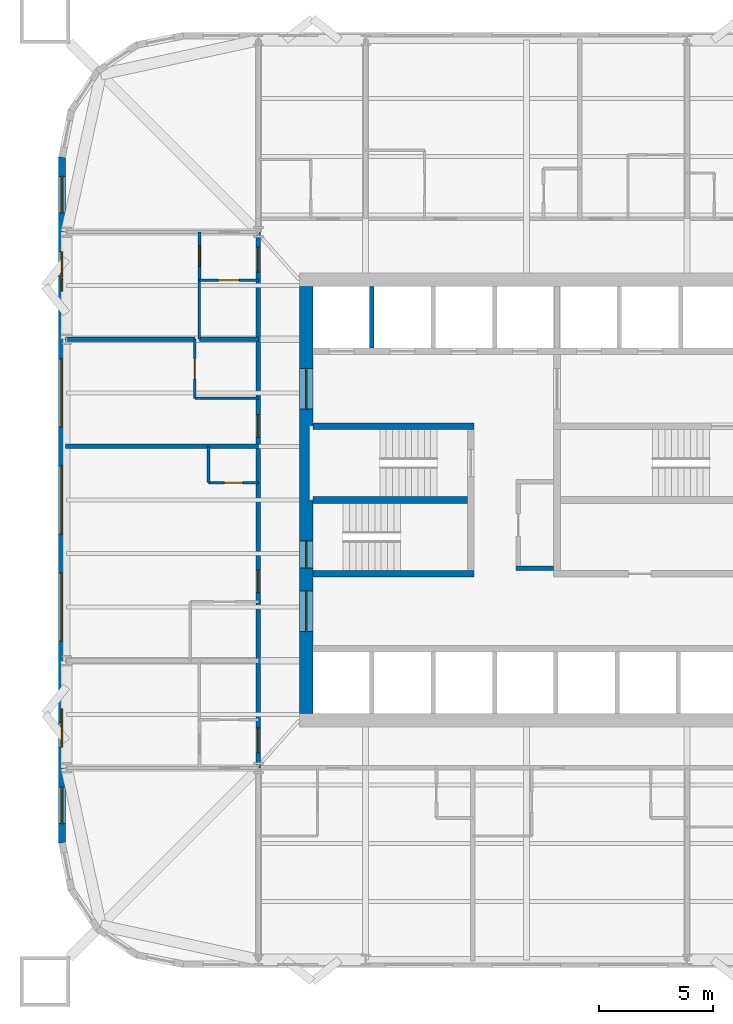
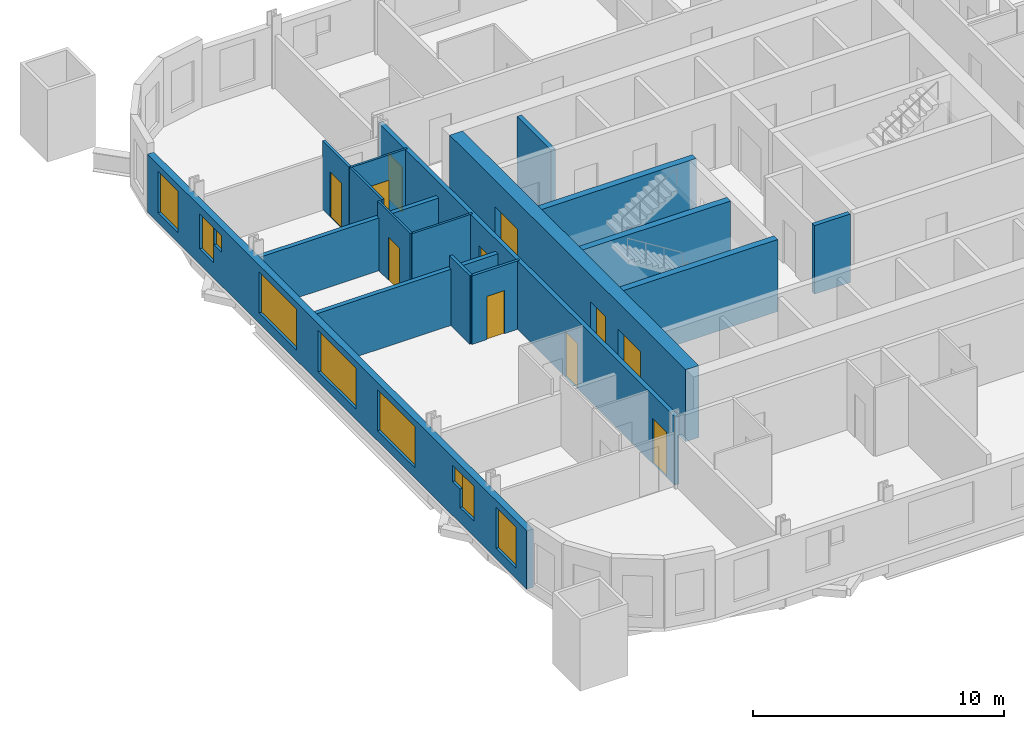
# One storey, part 4 of 9: 18 walls, 11 doors, 9 windows, 20 openings.
"""IFC4 building model written with IfcOpenShell, lengths in metres."""

import ifcopenshell
import ifcopenshell.guid

model = None  # the IFC model being written
_history = None  # IfcOwnerHistory: only IFC2X3 demands one
_inside = {}  # id of a spatial element -> (the spatial element, [elements in it])
_under = {}  # id of a project, library or spatial element -> (it, [spatial elements below it])
_declared = {}  # id of a project -> (the project, [libraries it declares])
_typed = {}  # id of a type object -> (the type object, [elements of that type])
_made_of = {}  # id of a material, layer set ... -> (it, [elements and type objects made of it])


def new_model(schema):
    """Start an empty IFC model of exactly this schema.

    Asked for "IFC4X3", IfcOpenShell would pick the latest addendum, in which some entities
    have other attributes; the version numbers below select the first issue.
    IFC2X3 requires an IfcOwnerHistory on every rooted entity: one is made here for all.
    """
    global model, _history
    if schema == "IFC4X3":
        model = ifcopenshell.file(schema_version=(4, 3, 0, 0))
    else:
        model = ifcopenshell.file(schema=schema)
    _inside.clear()
    _under.clear()
    _declared.clear()
    _typed.clear()
    _made_of.clear()
    _history = None
    if model.schema == "IFC2X3":
        org = make("IfcOrganization", Name="unknown")
        user = make(
            "IfcPersonAndOrganization",
            ThePerson=make("IfcPerson", FamilyName="unknown"),
            TheOrganization=org,
        )
        app = make(
            "IfcApplication",
            ApplicationDeveloper=org,
            Version="unknown",
            ApplicationFullName="unknown",
            ApplicationIdentifier="unknown",
        )
        _history = make(
            "IfcOwnerHistory",
            OwningUser=user,
            OwningApplication=app,
            ChangeAction="ADDED",
            CreationDate=0,
        )
    return model


def make(cls, **values):
    """One entity of the class cls with the attributes given. An attribute that is None is left unset."""
    return model.create_entity(
        cls, **{name: value for name, value in values.items() if value is not None}
    )


def rooted(cls, **values):
    """An entity with a GlobalId (a new one), such as an element, a storey or a relation."""
    return make(cls, GlobalId=ifcopenshell.guid.new(), OwnerHistory=_history, **values)


def si_unit(unit_type, name, prefix=None):
    """IfcSIUnit, for example si_unit("LENGTHUNIT", "METRE", prefix="MILLI")."""
    return make("IfcSIUnit", UnitType=unit_type, Prefix=prefix, Name=name)


def assignment(units):
    """IfcUnitAssignment: the units of a project."""
    return None if units is None else make("IfcUnitAssignment", Units=units)


def point(xyz):
    """IfcCartesianPoint."""
    return None if xyz is None else make("IfcCartesianPoint", Coordinates=xyz)


def direction(xyz):
    """IfcDirection."""
    return None if xyz is None else make("IfcDirection", DirectionRatios=xyz)


def frame(location, z_axis=None, x_axis=None):
    """IfcAxis2Placement3D, a coordinate frame: its origin and axes. An axis left out is left unset."""
    return make(
        "IfcAxis2Placement3D",
        Location=point(location),
        Axis=direction(z_axis),
        RefDirection=direction(x_axis),
    )


def frame_2d(location, x_axis=None):
    """IfcAxis2Placement2D, a coordinate frame in the plane: its origin and x axis."""
    return make(
        "IfcAxis2Placement2D", Location=point(location), RefDirection=direction(x_axis)
    )


def origin():
    """The frame at (0, 0, 0) with its axes left unset."""
    return frame((0.0, 0.0, 0.0))


def place(relative_to, where):
    """IfcLocalPlacement: puts the frame where relative to a parent placement (None: the world)."""
    return make(
        "IfcLocalPlacement", PlacementRelTo=relative_to, RelativePlacement=where
    )


def context(
    kind, dimensions, precision=None, world=None, true_north=None, identifier=None
):
    """IfcGeometricRepresentationContext, for example the 3D "Model" context."""
    return make(
        "IfcGeometricRepresentationContext",
        ContextIdentifier=identifier,
        ContextType=kind,
        CoordinateSpaceDimension=dimensions,
        Precision=precision,
        WorldCoordinateSystem=world,
        TrueNorth=true_north,
    )


def subcontext(parent, identifier, kind, view, scale=None):
    """IfcGeometricRepresentationSubContext, for example "Body" below "Model"."""
    return make(
        "IfcGeometricRepresentationSubContext",
        ContextIdentifier=identifier,
        ContextType=kind,
        ParentContext=parent,
        TargetScale=scale,
        TargetView=view,
    )


def project(units=None, contexts=None):
    """IfcProject with its units and contexts."""
    return rooted(
        "IfcProject",
        Name="project",
        RepresentationContexts=contexts,
        UnitsInContext=assignment(units),
    )


def spatial(cls, under=None, at=None, **own):
    """A site, building, storey or space (cls), placed at a placement, below another one or the project."""
    s = rooted(cls, ObjectPlacement=at, **own)
    if under is not None:
        _under.setdefault(under.id(), (under, []))[1].append(s)
    return s


def profile(cls, at=None, kind="AREA", **sizes):
    """A parametric profile (cls). Its sizes go by their IFC names, for example OverallWidth=200.0."""
    return make(cls, ProfileType=kind, Position=at, **sizes)


def rectangle(**sizes):
    """IfcRectangleProfileDef."""
    return profile("IfcRectangleProfileDef", **sizes)


def extrude(swept, where, along, depth):
    """IfcExtrudedAreaSolid: the profile swept, set in the frame where, extruded along a direction by depth."""
    return make(
        "IfcExtrudedAreaSolid",
        SweptArea=swept,
        Position=where,
        ExtrudedDirection=direction(along),
        Depth=depth,
    )


def shape(context_of_items, identifier, shape_type, items):
    """IfcShapeRepresentation: the items that make up one representation, for example the "Body"."""
    return make(
        "IfcShapeRepresentation",
        ContextOfItems=context_of_items,
        RepresentationIdentifier=identifier,
        RepresentationType=shape_type,
        Items=items,
    )


def material(Name=None, Category=None):
    """IfcMaterial."""
    return make("IfcMaterial", Name=Name, Category=Category)


def layer(
    of_material, thickness, ventilated=None, Name=None, Category=None, Priority=None
):
    """IfcMaterialLayer: one layer of a wall or slab, of a material (None: an air gap)."""
    return make(
        "IfcMaterialLayer",
        Material=of_material,
        LayerThickness=thickness,
        IsVentilated=ventilated,
        Name=Name,
        Category=Category,
        Priority=Priority,
    )


def layer_set(layers, Name=None):
    """IfcMaterialLayerSet."""
    return make("IfcMaterialLayerSet", MaterialLayers=layers, LayerSetName=Name)


def made_of(thing, what):
    """Note that an element or type object is made of a material, layer set ...; save() writes the relation."""
    if what is not None:
        _made_of.setdefault(what.id(), (what, []))[1].append(thing)
    return thing


def type_object(cls, material=None, **own):
    """A type object (cls), such as IfcWallType, which elements share."""
    return made_of(rooted(cls, **own), material)


def element(
    cls,
    number,
    at=None,
    inside=None,
    cuts=None,
    type_object=None,
    material=None,
    context=None,
    identifier="Body",
    shape_type=None,
    held_by="IfcProductDefinitionShape",
    body=None,
    shapes=None,
    **own,
):
    """One element of the class cls, such as IfcWall. Its Tag is "e" and its number.

    at: its placement. inside: the storey or other place that contains it. cuts: it is an
    opening in that element (IfcRelVoidsElement). A single representation is given by context,
    identifier, shape_type and body (its items); several are given by shapes. held_by: the class
    of the entity that holds the representations. save() writes the other relations.
    """
    e = rooted(cls, Tag="e%d" % number, ObjectPlacement=at, **own)
    if body is not None:
        shapes = [shape(context, identifier, shape_type, body)]
    if shapes is not None:
        e.Representation = make(held_by, Representations=shapes)
    if inside is not None:
        _inside.setdefault(inside.id(), (inside, []))[1].append(e)
    if cuts is not None:
        rooted(
            "IfcRelVoidsElement", RelatingBuildingElement=cuts, RelatedOpeningElement=e
        )
    if type_object is not None:
        _typed.setdefault(type_object.id(), (type_object, []))[1].append(e)
    return made_of(e, material)


def fill(opening, filler):
    """IfcRelFillsElement: the door or window that sits in an opening."""
    return rooted(
        "IfcRelFillsElement",
        RelatingOpeningElement=opening,
        RelatedBuildingElement=filler,
    )


def aggregate(whole, parts):
    """IfcRelAggregates: a whole, such as a stair, and the parts it consists of."""
    return rooted("IfcRelAggregates", RelatingObject=whole, RelatedObjects=parts)


def save(model, path):
    """Write the relations noted so far, then the file.

    IfcRelAggregates (storeys below a building ...), IfcRelContainedInSpatialStructure (elements
    in a storey), IfcRelDefinesByType, IfcRelAssociatesMaterial and IfcRelDeclares: one each for
    every whole, place, type object, material and project.
    """
    for whole, parts in _under.values():
        aggregate(whole, parts)
    for where, things in _inside.values():
        rooted(
            "IfcRelContainedInSpatialStructure",
            RelatedElements=things,
            RelatingStructure=where,
        )
    for kind, things in _typed.values():
        rooted("IfcRelDefinesByType", RelatedObjects=things, RelatingType=kind)
    for what, things in _made_of.values():
        rooted("IfcRelAssociatesMaterial", RelatedObjects=things, RelatingMaterial=what)
    for by, libraries in _declared.values():
        rooted("IfcRelDeclares", RelatingContext=by, RelatedDefinitions=libraries)
    model.write(path)


model = new_model("IFC4")

# Units and contexts
model_context = context("Model", 3, precision=1e-05, world=origin(), true_north=direction((0.0, 1.0)))
body_context = subcontext(model_context, "Body", "Model", "MODEL_VIEW")
ifc_project = project(units=[si_unit("LENGTHUNIT", "METRE"), si_unit("AREAUNIT", "SQUARE_METRE"), si_unit("VOLUMEUNIT", "CUBIC_METRE"), si_unit("PLANEANGLEUNIT", "RADIAN"), si_unit("MASSUNIT", "GRAM", prefix="KILO")], contexts=[model_context])

# Site, building, storey
site_placement = place(None, origin())
site = spatial("IfcSite", under=ifc_project, at=site_placement, CompositionType="ELEMENT")
building_placement = place(site_placement, origin())
building = spatial("IfcBuilding", under=site, at=building_placement, Name="Turquesa Mirador Hotel Tower", CompositionType="ELEMENT")
storey_placement = place(building_placement, frame((0.0, 0.0, 110.89990234375)))
storey = spatial("IfcBuildingStorey", under=building, at=storey_placement, Name="L29", CompositionType="ELEMENT", Elevation=110.89990234375)

# Wall
ifc_material_1 = material(Name="Gypsum board on steel studs", Category="steel")
ifc_layer_1 = layer(ifc_material_1, 0.10009765625)
ifc_layer_set_1 = layer_set([ifc_layer_1], Name="BATHROOM WALL 100")
wall_type_1 = type_object("IfcWallType", Name="BATHROOM WALL 100", PredefinedType="PARTITIONING", material=ifc_layer_set_1)
wall_1_placement = place(storey_placement, frame((40.39990234375, 49.47998046875, 0.0), z_axis=(0.0, 0.0, 1.0), x_axis=(1.0, 0.0, 0.0)))
element("IfcWall", 1, at=wall_1_placement, inside=storey, type_object=wall_type_1, Name="Partition L29 035", PredefinedType="PARTITIONING", context=body_context, shape_type="SweptSolid", body=[
    extrude(rectangle(XDim=2.800048828125, YDim=0.10009765625, at=frame_2d((1.39990234375, 0.0))), origin(), (0.0, 0.0, 1.0), 3.330078125),
])

# Wall, opening, door
wall_2_placement = place(storey_placement, frame((40.60009765625, 54.679931640625, 0.0), z_axis=(0.0, 0.0, 1.0), x_axis=(1.0, 0.0, 0.0)))
wall_2 = element("IfcWall", 2, at=wall_2_placement, inside=storey, type_object=wall_type_1, Name="Partition L29 041", PredefinedType="PARTITIONING", context=body_context, shape_type="SweptSolid", body=[
    extrude(rectangle(XDim=2.599853515625, YDim=0.10009765625, at=frame_2d((1.2998046875, 0.0))), origin(), (0.0, 0.0, 1.0), 3.330078125),
])
opening_1_placement = place(wall_2_placement, frame((0.85009765625, 0.0, 0.0)))
opening_1 = element("IfcOpeningElement", 3, at=opening_1_placement, cuts=wall_2, Name="Opening D02", PredefinedType="OPENING", context=body_context, shape_type="SweptSolid", body=[
    extrude(rectangle(XDim=0.89990234375, YDim=2.10009765625, at=frame_2d((0.449951171875, 1.050048828125))), frame((0.0, 0.06005859375, 0.0), z_axis=(0.0, -1.0, 0.0), x_axis=(1.0, 0.0, 0.0)), (0.0, 0.0, 1.0), 0.1201171875),
])
ifc_material_2 = material(Name="Timber veneered door", Category="wood")
door_type_1 = type_object("IfcDoorType", Name="DOOR 900X2100 EN-SUITE", OperationType="SINGLE_SWING_RIGHT", PredefinedType="DOOR", material=ifc_material_2)
door_1_placement = place(opening_1_placement, origin())
door_1 = element("IfcDoor", 4, at=door_1_placement, inside=storey, type_object=door_type_1, Name="Door 2914B", OperationType="SINGLE_SWING_RIGHT", OverallHeight=2.10009765625, OverallWidth=0.89990234375, PredefinedType="DOOR", context=body_context, shape_type="SweptSolid", body=[
    extrude(rectangle(XDim=0.89990234375, YDim=2.10009765625, at=frame_2d((0.449951171875, 1.050048828125))), frame((0.0, 0.02490234375, 0.0), z_axis=(0.0, -1.0, 0.0), x_axis=(1.0, 0.0, 0.0)), (0.0, 0.0, 1.0), 0.050048828125),
])
fill(opening_1, door_1)

# Wall
wall_3_placement = place(storey_placement, frame((40.60009765625, 52.080078125, 0.0), z_axis=(0.0, 0.0, 1.0), x_axis=(0.0, 1.0, 0.0)))
element("IfcWall", 5, at=wall_3_placement, inside=storey, type_object=wall_type_1, Name="Partition L29 047", PredefinedType="PARTITIONING", context=body_context, shape_type="SweptSolid", body=[
    extrude(rectangle(XDim=2.599853515625, YDim=0.10009765625, at=frame_2d((1.2998046875, 0.0))), origin(), (0.0, 0.0, 1.0), 3.330078125),
])

# Wall, opening, door
wall_4_placement = place(storey_placement, frame((40.39990234375, 49.47998046875, 0.0), z_axis=(0.0, 0.0, 1.0), x_axis=(0.0, 1.0, 0.0)))
wall_4 = element("IfcWall", 6, at=wall_4_placement, inside=storey, type_object=wall_type_1, Name="Partition L29 050", PredefinedType="PARTITIONING", context=body_context, shape_type="SweptSolid", body=[
    extrude(rectangle(XDim=2.60009765625, YDim=0.10009765625, at=frame_2d((1.300048828125, 0.0))), origin(), (0.0, 0.0, 1.0), 3.330078125),
])
opening_2_placement = place(wall_4_placement, frame((0.85009765625, 0.0, 0.0)))
opening_2 = element("IfcOpeningElement", 7, at=opening_2_placement, cuts=wall_4, Name="Opening D02", PredefinedType="OPENING", context=body_context, shape_type="SweptSolid", body=[
    extrude(rectangle(XDim=0.89990234375, YDim=2.10009765625, at=frame_2d((0.449951171875, 1.050048828125))), frame((0.0, 0.06005859375, 0.0), z_axis=(0.0, -1.0, 0.0), x_axis=(1.0, 0.0, 0.0)), (0.0, 0.0, 1.0), 0.1201171875),
])
door_2_placement = place(opening_2_placement, origin())
door_2 = element("IfcDoor", 8, at=door_2_placement, inside=storey, type_object=door_type_1, Name="Door 2912B", OperationType="SINGLE_SWING_RIGHT", OverallHeight=2.10009765625, OverallWidth=0.89990234375, PredefinedType="DOOR", context=body_context, shape_type="SweptSolid", body=[
    extrude(rectangle(XDim=0.89990234375, YDim=2.10009765625, at=frame_2d((0.449951171875, 1.050048828125))), frame((0.0, 0.02490234375, 0.0), z_axis=(0.0, -1.0, 0.0), x_axis=(1.0, 0.0, 0.0)), (0.0, 0.0, 1.0), 0.050048828125),
])
fill(opening_2, door_2)

# Walls
ifc_material_3 = material(Name="Concrete C50/60", Category="concrete")
ifc_layer_2 = layer(ifc_material_3, 0.300048828125)
ifc_layer_set_2 = layer_set([ifc_layer_2], Name="CORE INNER WALL 300")
wall_type_2 = type_object("IfcWallType", Name="CORE INNER WALL 300", PredefinedType="SHEAR", material=ifc_layer_set_2)
for number, where, z_axis, x_axis, name in (
    (9, (45.60009765625, 48.25, 0.0), (0.0, 0.0, 1.0), (1.0, 0.0, 0.0), "Core wall MN-W"),
    (10, (45.60009765625, 41.75, 0.0), (0.0, 0.0, 1.0), (1.0, 0.0, 0.0), "Core wall MS-W"),
):
    element("IfcWall", number, at=place(storey_placement, frame(where, z_axis=z_axis, x_axis=x_axis)), inside=storey, type_object=wall_type_2, Name=name, PredefinedType="SHEAR", context=body_context, shape_type="SweptSolid", body=[
        extrude(rectangle(XDim=7.099853515625, YDim=0.300048828125, at=frame_2d((3.5498046875, 0.0))), origin(), (0.0, 0.0, 1.0), 3.5),
    ])
wall_5_placement = place(storey_placement, frame((45.60009765625, 45.0, 0.0), z_axis=(0.0, 0.0, 1.0), x_axis=(1.0, 0.0, 0.0)))
element("IfcWall", 11, at=wall_5_placement, inside=storey, type_object=wall_type_2, Name="Core wall M0-W", PredefinedType="SHEAR", context=body_context, shape_type="SweptSolid", body=[
    extrude(rectangle(XDim=6.7998046875, YDim=0.300048828125, at=frame_2d((3.39990234375, 0.0))), origin(), (0.0, 0.0, 1.0), 3.5),
])

# Wall, openings, doors
ifc_material_4 = material(Name="Concrete C50/60", Category="concrete")
ifc_layer_3 = layer(ifc_material_4, 0.60009765625)
ifc_layer_set_3 = layer_set([ifc_layer_3], Name="CORE WALL 600")
wall_type_3 = type_object("IfcWallType", Name="CORE WALL 600", PredefinedType="SHEAR", material=ifc_layer_set_3)
wall_6_placement = place(storey_placement, frame((45.300048828125, 35.60009765625, 0.0), z_axis=(0.0, 0.0, 1.0), x_axis=(0.0, 1.0, 0.0)))
wall_6 = element("IfcWall", 12, at=wall_6_placement, inside=storey, type_object=wall_type_3, Name="Core wall W", PredefinedType="SHEAR", context=body_context, shape_type="SweptSolid", body=[
    extrude(rectangle(XDim=18.7998046875, YDim=0.60009765625, at=frame_2d((9.39990234375, 0.0))), origin(), (0.0, 0.0, 1.0), 3.5),
])
opening_3_placement = place(wall_6_placement, frame((13.39990234375, 0.0, 0.0)))
opening_3 = element("IfcOpeningElement", 13, at=opening_3_placement, cuts=wall_6, Name="Opening D04", PredefinedType="OPENING", context=body_context, shape_type="SweptSolid", body=[
    extrude(rectangle(XDim=1.800048828125, YDim=2.199951171875, at=frame_2d((0.89990234375, 1.10009765625))), frame((0.0, 0.31005859375, 0.0), z_axis=(0.0, -1.0, 0.0), x_axis=(1.0, 0.0, 0.0)), (0.0, 0.0, 1.0), 0.6201171875),
])
opening_4_placement = place(wall_6_placement, frame((3.60009765625, 0.0, 0.0)))
opening_4 = element("IfcOpeningElement", 14, at=opening_4_placement, cuts=wall_6, Name="Opening D04", PredefinedType="OPENING", context=body_context, shape_type="SweptSolid", body=[
    extrude(rectangle(XDim=1.800048828125, YDim=2.199951171875, at=frame_2d((0.89990234375, 1.10009765625))), frame((0.0, 0.31005859375, 0.0), z_axis=(0.0, -1.0, 0.0), x_axis=(1.0, 0.0, 0.0)), (0.0, 0.0, 1.0), 0.6201171875),
])
opening_5_placement = place(wall_6_placement, frame((6.39990234375, 0.0, 0.0)))
opening_5 = element("IfcOpeningElement", 15, at=opening_5_placement, cuts=wall_6, Name="Opening D03", PredefinedType="OPENING", context=body_context, shape_type="SweptSolid", body=[
    extrude(rectangle(XDim=1.199951171875, YDim=2.199951171875, at=frame_2d((0.60009765625, 1.10009765625))), frame((0.0, 0.31005859375, 0.0), z_axis=(0.0, -1.0, 0.0), x_axis=(1.0, 0.0, 0.0)), (0.0, 0.0, 1.0), 0.6201171875),
])
ifc_material_5 = material(Name="Steel fire door", Category="steel")
door_type_2 = type_object("IfcDoorType", Name="DOOR 1200X2200 STAIR", OperationType="SINGLE_SWING_LEFT", PredefinedType="DOOR", material=ifc_material_5)
door_3_placement = place(opening_5_placement, origin())
door_3 = element("IfcDoor", 16, at=door_3_placement, inside=storey, type_object=door_type_2, Name="Stair ST2 door", OperationType="SINGLE_SWING_LEFT", OverallHeight=2.199951171875, OverallWidth=1.199951171875, PredefinedType="DOOR", context=body_context, shape_type="SweptSolid", body=[
    extrude(rectangle(XDim=1.199951171875, YDim=2.199951171875, at=frame_2d((0.60009765625, 1.10009765625))), frame((0.0, 0.02490234375, 0.0), z_axis=(0.0, -1.0, 0.0), x_axis=(1.0, 0.0, 0.0)), (0.0, 0.0, 1.0), 0.050048828125),
])
fill(opening_5, door_3)
ifc_material_6 = material(Name="Steel fire door pair", Category="steel")
door_type_3 = type_object("IfcDoorType", Name="DOOR 1800X2200 PAIR", OperationType="DOUBLE_DOOR_SINGLE_SWING", PredefinedType="DOOR", material=ifc_material_6)
door_4_placement = place(opening_3_placement, origin())
door_4 = element("IfcDoor", 17, at=door_4_placement, inside=storey, type_object=door_type_3, Name="North lift lobby door", OperationType="DOUBLE_DOOR_SINGLE_SWING", OverallHeight=2.199951171875, OverallWidth=1.800048828125, PredefinedType="DOOR", context=body_context, shape_type="SweptSolid", body=[
    extrude(rectangle(XDim=1.800048828125, YDim=2.199951171875, at=frame_2d((0.89990234375, 1.10009765625))), frame((0.0, 0.02490234375, 0.0), z_axis=(0.0, -1.0, 0.0), x_axis=(1.0, 0.0, 0.0)), (0.0, 0.0, 1.0), 0.050048828125),
])
fill(opening_3, door_4)
door_5_placement = place(opening_4_placement, origin())
door_5 = element("IfcDoor", 18, at=door_5_placement, inside=storey, type_object=door_type_3, Name="South lift lobby door", OperationType="DOUBLE_DOOR_SINGLE_SWING", OverallHeight=2.199951171875, OverallWidth=1.800048828125, PredefinedType="DOOR", context=body_context, shape_type="SweptSolid", body=[
    extrude(rectangle(XDim=1.800048828125, YDim=2.199951171875, at=frame_2d((0.89990234375, 1.10009765625))), frame((0.0, 0.02490234375, 0.0), z_axis=(0.0, -1.0, 0.0), x_axis=(1.0, 0.0, 0.0)), (0.0, 0.0, 1.0), 0.050048828125),
])
fill(opening_4, door_5)

ifc_material_7 = material(Name="Fire-rated gypsum board on steel studs", Category="steel")
ifc_layer_4 = layer(ifc_material_7, 0.199951171875)
ifc_layer_set_4 = layer_set([ifc_layer_4], Name="CORRIDOR WALL 200")
wall_type_4 = type_object("IfcWallType", Name="CORRIDOR WALL 200", PredefinedType="PARTITIONING", material=ifc_layer_set_4)
wall_7_placement = place(storey_placement, frame((43.199951171875, 33.199951171875, 0.0), z_axis=(0.0, 0.0, 1.0), x_axis=(0.0, 1.0, 0.0)))
wall_7 = element("IfcWall", 19, at=wall_7_placement, inside=storey, type_object=wall_type_4, Name="Partition L29 042", PredefinedType="PARTITIONING", context=body_context, shape_type="SweptSolid", body=[
    extrude(rectangle(XDim=23.580078125, YDim=0.199951171875, at=frame_2d((11.7900390625, 0.0))), origin(), (0.0, 0.0, 1.0), 3.330078125),
])
opening_6_placement = place(wall_7_placement, frame((7.719970703125, 0.0, 0.0)))
opening_6 = element("IfcOpeningElement", 20, at=opening_6_placement, cuts=wall_7, Name="Opening D01", PredefinedType="OPENING", context=body_context, shape_type="SweptSolid", body=[
    extrude(rectangle(XDim=1.0, YDim=2.199951171875, at=frame_2d((0.5, 1.10009765625))), frame((0.0, 0.10986328125, 0.0), z_axis=(0.0, -1.0, 0.0), x_axis=(1.0, 0.0, 0.0)), (0.0, 0.0, 1.0), 0.219970703125),
])
opening_7_placement = place(wall_7_placement, frame((14.56005859375, 0.0, 0.0)))
opening_7 = element("IfcOpeningElement", 21, at=opening_7_placement, cuts=wall_7, Name="Opening D01", PredefinedType="OPENING", context=body_context, shape_type="SweptSolid", body=[
    extrude(rectangle(XDim=1.0, YDim=2.199951171875, at=frame_2d((0.5, 1.10009765625))), frame((0.0, 0.10986328125, 0.0), z_axis=(0.0, -1.0, 0.0), x_axis=(1.0, 0.0, 0.0)), (0.0, 0.0, 1.0), 0.219970703125),
])
opening_8_placement = place(wall_7_placement, frame((21.840087890625, 0.0, 0.0)))
opening_8 = element("IfcOpeningElement", 22, at=opening_8_placement, cuts=wall_7, Name="Opening D15", PredefinedType="OPENING", context=body_context, shape_type="SweptSolid", body=[
    extrude(rectangle(XDim=1.10009765625, YDim=2.199951171875, at=frame_2d((0.550048828125, 1.10009765625))), frame((0.0, 0.10986328125, 0.0), z_axis=(0.0, -1.0, 0.0), x_axis=(1.0, 0.0, 0.0)), (0.0, 0.0, 1.0), 0.219970703125),
])
opening_9_placement = place(wall_7_placement, frame((0.659912109375, 0.0, 0.0)))
opening_9 = element("IfcOpeningElement", 23, at=opening_9_placement, cuts=wall_7, Name="Opening D15", PredefinedType="OPENING", context=body_context, shape_type="SweptSolid", body=[
    extrude(rectangle(XDim=1.10009765625, YDim=2.199951171875, at=frame_2d((0.550048828125, 1.10009765625))), frame((0.0, 0.10986328125, 0.0), z_axis=(0.0, -1.0, 0.0), x_axis=(1.0, 0.0, 0.0)), (0.0, 0.0, 1.0), 0.219970703125),
])
ifc_material_8 = material(Name="Timber veneered fire door", Category="wood")
door_type_4 = type_object("IfcDoorType", Name="DOOR 1000X2200 GUEST ENTRY", OperationType="SINGLE_SWING_LEFT", PredefinedType="DOOR", material=ifc_material_8)
door_6_placement = place(opening_6_placement, origin())
door_6 = element("IfcDoor", 24, at=door_6_placement, inside=storey, type_object=door_type_4, Name="Door 2911", OperationType="SINGLE_SWING_LEFT", OverallHeight=2.199951171875, OverallWidth=1.0, PredefinedType="DOOR", context=body_context, shape_type="SweptSolid", body=[
    extrude(rectangle(XDim=1.0, YDim=2.199951171875, at=frame_2d((0.5, 1.10009765625))), frame((0.0, 0.02490234375, 0.0), z_axis=(0.0, -1.0, 0.0), x_axis=(1.0, 0.0, 0.0)), (0.0, 0.0, 1.0), 0.050048828125),
])
fill(opening_6, door_6)
door_7_placement = place(opening_7_placement, origin())
door_7 = element("IfcDoor", 25, at=door_7_placement, inside=storey, type_object=door_type_4, Name="Door 2912", OperationType="SINGLE_SWING_LEFT", OverallHeight=2.199951171875, OverallWidth=1.0, PredefinedType="DOOR", context=body_context, shape_type="SweptSolid", body=[
    extrude(rectangle(XDim=1.0, YDim=2.199951171875, at=frame_2d((0.5, 1.10009765625))), frame((0.0, 0.02490234375, 0.0), z_axis=(0.0, -1.0, 0.0), x_axis=(1.0, 0.0, 0.0)), (0.0, 0.0, 1.0), 0.050048828125),
])
fill(opening_7, door_7)
ifc_material_9 = material(Name="Timber veneered fire door", Category="wood")
door_type_5 = type_object("IfcDoorType", Name="DOOR 1100X2200 SUITE ENTRY", OperationType="SINGLE_SWING_LEFT", PredefinedType="DOOR", material=ifc_material_9)
door_8_placement = place(opening_8_placement, origin())
door_8 = element("IfcDoor", 26, at=door_8_placement, inside=storey, type_object=door_type_5, Name="Door 2914H", OperationType="SINGLE_SWING_LEFT", OverallHeight=2.199951171875, OverallWidth=1.10009765625, PredefinedType="DOOR", context=body_context, shape_type="SweptSolid", body=[
    extrude(rectangle(XDim=1.10009765625, YDim=2.199951171875, at=frame_2d((0.550048828125, 1.10009765625))), frame((0.0, 0.02490234375, 0.0), z_axis=(0.0, -1.0, 0.0), x_axis=(1.0, 0.0, 0.0)), (0.0, 0.0, 1.0), 0.050048828125),
])
fill(opening_8, door_8)
door_9_placement = place(opening_9_placement, origin())
door_9 = element("IfcDoor", 27, at=door_9_placement, inside=storey, type_object=door_type_5, Name="Door 2915H", OperationType="SINGLE_SWING_LEFT", OverallHeight=2.199951171875, OverallWidth=1.10009765625, PredefinedType="DOOR", context=body_context, shape_type="SweptSolid", body=[
    extrude(rectangle(XDim=1.10009765625, YDim=2.199951171875, at=frame_2d((0.550048828125, 1.10009765625))), frame((0.0, 0.02490234375, 0.0), z_axis=(0.0, -1.0, 0.0), x_axis=(1.0, 0.0, 0.0)), (0.0, 0.0, 1.0), 0.050048828125),
])
fill(opening_9, door_9)

# Wall, openings, windows
ifc_material_10 = material(Name="Limestone cladding on concrete block", Category="masonry")
ifc_layer_5 = layer(ifc_material_10, 0.300048828125)
ifc_layer_set_5 = layer_set([ifc_layer_5], Name="FACADE WALL 300 STONE SCREEN")
wall_type_5 = type_object("IfcWallType", Name="FACADE WALL 300 STONE SCREEN", PredefinedType="SOLIDWALL", material=ifc_layer_set_5)
wall_8_placement = place(storey_placement, frame((34.550048828125, 60.10009765625, 0.0), z_axis=(0.0, 0.0, 1.0), x_axis=(0.0, -1.0, 0.0)))
wall_8 = element("IfcWall", 28, at=wall_8_placement, inside=storey, type_object=wall_type_5, Name="Facade wall L29 14", PredefinedType="SOLIDWALL", context=body_context, shape_type="SweptSolid", body=[
    extrude(rectangle(XDim=30.2001953125, YDim=0.300048828125, at=frame_2d((15.10009765625, 0.0))), origin(), (0.0, 0.0, 1.0), 2.830078125),
])
opening_10_placement = place(wall_8_placement, frame((0.85009765625, 0.0, 0.5)))
opening_10 = element("IfcOpeningElement", 29, at=opening_10_placement, cuts=wall_8, Name="Opening WN3", PredefinedType="OPENING", context=body_context, shape_type="SweptSolid", body=[
    extrude(rectangle(XDim=1.60009765625, YDim=2.0, at=frame_2d((0.800048828125, 1.0))), frame((0.0, 0.159912109375, 0.0), z_axis=(0.0, -1.0, 0.0), x_axis=(1.0, 0.0, 0.0)), (0.0, 0.0, 1.0), 0.320068359375),
])
opening_11_placement = place(wall_8_placement, frame((4.159912109375, 0.0, 0.75)))
opening_11 = element("IfcOpeningElement", 30, at=opening_11_placement, cuts=wall_8, Name="Opening WN26", PredefinedType="OPENING", context=body_context, shape_type="SweptSolid", body=[
    extrude(rectangle(XDim=1.10009765625, YDim=1.699951171875, at=frame_2d((0.550048828125, 0.85009765625))), frame((0.0, 0.159912109375, 0.0), z_axis=(0.0, -1.0, 0.0), x_axis=(1.0, 0.0, 0.0)), (0.0, 0.0, 1.0), 0.320068359375),
])
opening_12_placement = place(wall_8_placement, frame((8.8798828125, 0.0, 0.5)))
opening_12 = element("IfcOpeningElement", 31, at=opening_12_placement, cuts=wall_8, Name="Opening WN1", PredefinedType="OPENING", context=body_context, shape_type="SweptSolid", body=[
    extrude(rectangle(XDim=3.0, YDim=2.0, at=frame_2d((1.5, 1.0))), frame((0.0, 0.159912109375, 0.0), z_axis=(0.0, -1.0, 0.0), x_axis=(1.0, 0.0, 0.0)), (0.0, 0.0, 1.0), 0.320068359375),
])
opening_13_placement = place(wall_8_placement, frame((13.60009765625, 0.0, 0.5)))
opening_13 = element("IfcOpeningElement", 32, at=opening_13_placement, cuts=wall_8, Name="Opening WN1", PredefinedType="OPENING", context=body_context, shape_type="SweptSolid", body=[
    extrude(rectangle(XDim=3.0, YDim=2.0, at=frame_2d((1.5, 1.0))), frame((0.0, 0.159912109375, 0.0), z_axis=(0.0, -1.0, 0.0), x_axis=(1.0, 0.0, 0.0)), (0.0, 0.0, 1.0), 0.320068359375),
])
opening_14_placement = place(wall_8_placement, frame((18.320068359375, 0.0, 0.5)))
opening_14 = element("IfcOpeningElement", 33, at=opening_14_placement, cuts=wall_8, Name="Opening WN1", PredefinedType="OPENING", context=body_context, shape_type="SweptSolid", body=[
    extrude(rectangle(XDim=3.0, YDim=2.0, at=frame_2d((1.5, 1.0))), frame((0.0, 0.159912109375, 0.0), z_axis=(0.0, -1.0, 0.0), x_axis=(1.0, 0.0, 0.0)), (0.0, 0.0, 1.0), 0.320068359375),
])
opening_15_placement = place(wall_8_placement, frame((24.889892578125, 0.0, 0.75)))
opening_15 = element("IfcOpeningElement", 34, at=opening_15_placement, cuts=wall_8, Name="Opening WN26", PredefinedType="OPENING", context=body_context, shape_type="SweptSolid", body=[
    extrude(rectangle(XDim=1.10009765625, YDim=1.699951171875, at=frame_2d((0.550048828125, 0.85009765625))), frame((0.0, 0.159912109375, 0.0), z_axis=(0.0, -1.0, 0.0), x_axis=(1.0, 0.0, 0.0)), (0.0, 0.0, 1.0), 0.320068359375),
])
opening_16_placement = place(wall_8_placement, frame((27.75, 0.0, 0.5)))
opening_16 = element("IfcOpeningElement", 35, at=opening_16_placement, cuts=wall_8, Name="Opening WN3", PredefinedType="OPENING", context=body_context, shape_type="SweptSolid", body=[
    extrude(rectangle(XDim=1.60009765625, YDim=2.0, at=frame_2d((0.800048828125, 1.0))), frame((0.0, 0.159912109375, 0.0), z_axis=(0.0, -1.0, 0.0), x_axis=(1.0, 0.0, 0.0)), (0.0, 0.0, 1.0), 0.320068359375),
])
opening_17_placement = place(wall_8_placement, frame((5.31005859375, 0.0, 1.64990234375)))
opening_17 = element("IfcOpeningElement", 36, at=opening_17_placement, cuts=wall_8, Name="Opening WN28", PredefinedType="OPENING", context=body_context, shape_type="SweptSolid", body=[
    extrude(rectangle(XDim=0.60009765625, YDim=0.800048828125, at=frame_2d((0.300048828125, 0.39990234375))), frame((0.0, 0.159912109375, 0.0), z_axis=(0.0, -1.0, 0.0), x_axis=(1.0, 0.0, 0.0)), (0.0, 0.0, 1.0), 0.320068359375),
])
opening_18_placement = place(wall_8_placement, frame((24.2900390625, 0.0, 1.64990234375)))
opening_18 = element("IfcOpeningElement", 37, at=opening_18_placement, cuts=wall_8, Name="Opening WN28", PredefinedType="OPENING", context=body_context, shape_type="SweptSolid", body=[
    extrude(rectangle(XDim=0.60009765625, YDim=0.800048828125, at=frame_2d((0.300048828125, 0.39990234375))), frame((0.0, 0.159912109375, 0.0), z_axis=(0.0, -1.0, 0.0), x_axis=(1.0, 0.0, 0.0)), (0.0, 0.0, 1.0), 0.320068359375),
])
ifc_material_11 = material(Name="Ceramic-fritted laminated glass", Category="glass")
window_type_1 = type_object("IfcWindowType", Name="FRITTED WINDOW 1100X1700", PartitioningType="DOUBLE_PANEL_HORIZONTAL", PredefinedType="WINDOW", material=ifc_material_11)
window_1_placement = place(opening_11_placement, origin())
window_1 = element("IfcWindow", 38, at=window_1_placement, inside=storey, type_object=window_type_1, Name="Window L29", OverallHeight=1.699951171875, OverallWidth=1.10009765625, PartitioningType="SINGLE_PANEL", PredefinedType="WINDOW", context=body_context, shape_type="SweptSolid", body=[
    extrude(rectangle(XDim=1.10009765625, YDim=1.699951171875, at=frame_2d((0.550048828125, 0.85009765625))), frame((0.0, 0.030029296875, 0.0), z_axis=(0.0, -1.0, 0.0), x_axis=(1.0, 0.0, 0.0)), (0.0, 0.0, 1.0), 0.06005859375),
])
fill(opening_11, window_1)
window_2_placement = place(opening_15_placement, origin())
window_2 = element("IfcWindow", 39, at=window_2_placement, inside=storey, type_object=window_type_1, Name="Window L29", OverallHeight=1.699951171875, OverallWidth=1.10009765625, PartitioningType="SINGLE_PANEL", PredefinedType="WINDOW", context=body_context, shape_type="SweptSolid", body=[
    extrude(rectangle(XDim=1.10009765625, YDim=1.699951171875, at=frame_2d((0.550048828125, 0.85009765625))), frame((0.0, 0.030029296875, 0.0), z_axis=(0.0, -1.0, 0.0), x_axis=(1.0, 0.0, 0.0)), (0.0, 0.0, 1.0), 0.06005859375),
])
fill(opening_15, window_2)
ifc_material_12 = material(Name="Ceramic-fritted laminated glass", Category="glass")
window_type_2 = type_object("IfcWindowType", Name="FRITTED WINDOW 1600X2000", PartitioningType="DOUBLE_PANEL_HORIZONTAL", PredefinedType="WINDOW", material=ifc_material_12)
window_3_placement = place(opening_10_placement, origin())
window_3 = element("IfcWindow", 40, at=window_3_placement, inside=storey, type_object=window_type_2, Name="Window L29", OverallHeight=2.0, OverallWidth=1.60009765625, PartitioningType="SINGLE_PANEL", PredefinedType="WINDOW", context=body_context, shape_type="SweptSolid", body=[
    extrude(rectangle(XDim=1.60009765625, YDim=2.0, at=frame_2d((0.800048828125, 1.0))), frame((0.0, 0.030029296875, 0.0), z_axis=(0.0, -1.0, 0.0), x_axis=(1.0, 0.0, 0.0)), (0.0, 0.0, 1.0), 0.06005859375),
])
fill(opening_10, window_3)
window_4_placement = place(opening_16_placement, origin())
window_4 = element("IfcWindow", 41, at=window_4_placement, inside=storey, type_object=window_type_2, Name="Window L29", OverallHeight=2.0, OverallWidth=1.60009765625, PartitioningType="SINGLE_PANEL", PredefinedType="WINDOW", context=body_context, shape_type="SweptSolid", body=[
    extrude(rectangle(XDim=1.60009765625, YDim=2.0, at=frame_2d((0.800048828125, 1.0))), frame((0.0, 0.030029296875, 0.0), z_axis=(0.0, -1.0, 0.0), x_axis=(1.0, 0.0, 0.0)), (0.0, 0.0, 1.0), 0.06005859375),
])
fill(opening_16, window_4)
ifc_material_13 = material(Name="Ceramic-fritted laminated glass", Category="glass")
window_type_3 = type_object("IfcWindowType", Name="FRITTED WINDOW 3000X2000", PartitioningType="DOUBLE_PANEL_HORIZONTAL", PredefinedType="WINDOW", material=ifc_material_13)
window_5_placement = place(opening_12_placement, origin())
window_5 = element("IfcWindow", 42, at=window_5_placement, inside=storey, type_object=window_type_3, Name="Window L29", OverallHeight=2.0, OverallWidth=3.0, PartitioningType="SINGLE_PANEL", PredefinedType="WINDOW", context=body_context, shape_type="SweptSolid", body=[
    extrude(rectangle(XDim=3.0, YDim=2.0, at=frame_2d((1.5, 1.0))), frame((0.0, 0.030029296875, 0.0), z_axis=(0.0, -1.0, 0.0), x_axis=(1.0, 0.0, 0.0)), (0.0, 0.0, 1.0), 0.06005859375),
])
fill(opening_12, window_5)
window_6_placement = place(opening_13_placement, origin())
window_6 = element("IfcWindow", 43, at=window_6_placement, inside=storey, type_object=window_type_3, Name="Window L29", OverallHeight=2.0, OverallWidth=3.0, PartitioningType="SINGLE_PANEL", PredefinedType="WINDOW", context=body_context, shape_type="SweptSolid", body=[
    extrude(rectangle(XDim=3.0, YDim=2.0, at=frame_2d((1.5, 1.0))), frame((0.0, 0.030029296875, 0.0), z_axis=(0.0, -1.0, 0.0), x_axis=(1.0, 0.0, 0.0)), (0.0, 0.0, 1.0), 0.06005859375),
])
fill(opening_13, window_6)
window_7_placement = place(opening_14_placement, origin())
window_7 = element("IfcWindow", 44, at=window_7_placement, inside=storey, type_object=window_type_3, Name="Window L29", OverallHeight=2.0, OverallWidth=3.0, PartitioningType="SINGLE_PANEL", PredefinedType="WINDOW", context=body_context, shape_type="SweptSolid", body=[
    extrude(rectangle(XDim=3.0, YDim=2.0, at=frame_2d((1.5, 1.0))), frame((0.0, 0.030029296875, 0.0), z_axis=(0.0, -1.0, 0.0), x_axis=(1.0, 0.0, 0.0)), (0.0, 0.0, 1.0), 0.06005859375),
])
fill(opening_14, window_7)
ifc_material_14 = material(Name="Ceramic-fritted laminated glass", Category="glass")
window_type_4 = type_object("IfcWindowType", Name="FRITTED WINDOW 600X800", PartitioningType="DOUBLE_PANEL_HORIZONTAL", PredefinedType="WINDOW", material=ifc_material_14)
window_8_placement = place(opening_17_placement, origin())
window_8 = element("IfcWindow", 45, at=window_8_placement, inside=storey, type_object=window_type_4, Name="Window L29", OverallHeight=0.800048828125, OverallWidth=0.60009765625, PartitioningType="SINGLE_PANEL", PredefinedType="WINDOW", context=body_context, shape_type="SweptSolid", body=[
    extrude(rectangle(XDim=0.60009765625, YDim=0.800048828125, at=frame_2d((0.300048828125, 0.39990234375))), frame((0.0, 0.030029296875, 0.0), z_axis=(0.0, -1.0, 0.0), x_axis=(1.0, 0.0, 0.0)), (0.0, 0.0, 1.0), 0.06005859375),
])
fill(opening_17, window_8)
window_9_placement = place(opening_18_placement, origin())
window_9 = element("IfcWindow", 46, at=window_9_placement, inside=storey, type_object=window_type_4, Name="Window L29", OverallHeight=0.800048828125, OverallWidth=0.60009765625, PartitioningType="SINGLE_PANEL", PredefinedType="WINDOW", context=body_context, shape_type="SweptSolid", body=[
    extrude(rectangle(XDim=0.60009765625, YDim=0.800048828125, at=frame_2d((0.300048828125, 0.39990234375))), frame((0.0, 0.030029296875, 0.0), z_axis=(0.0, -1.0, 0.0), x_axis=(1.0, 0.0, 0.0)), (0.0, 0.0, 1.0), 0.06005859375),
])
fill(opening_18, window_9)

# Walls
ifc_material_15 = material(Name="Fire-rated gypsum board on steel studs", Category="steel")
ifc_layer_6 = layer(ifc_material_15, 0.199951171875)
ifc_layer_set_6 = layer_set([ifc_layer_6], Name="FIRE PARTITION 200")
wall_type_6 = type_object("IfcWallType", Name="FIRE PARTITION 200", PredefinedType="PARTITIONING", material=ifc_layer_set_6)
wall_9_placement = place(storey_placement, frame((54.550048828125, 42.0, 0.0), z_axis=(0.0, 0.0, 1.0), x_axis=(1.0, 0.0, 0.0)))
element("IfcWall", 47, at=wall_9_placement, inside=storey, type_object=wall_type_6, Name="Partition L29 RR S", PredefinedType="PARTITIONING", context=body_context, shape_type="SweptSolid", body=[
    extrude(rectangle(XDim=1.64990234375, YDim=0.199951171875, at=frame_2d((0.824951171875, 0.0))), origin(), (0.0, 0.0, 1.0), 3.330078125),
])
ifc_material_16 = material(Name="Fire-rated gypsum shaft wall on steel studs", Category="steel")
ifc_layer_7 = layer(ifc_material_16, 0.199951171875)
ifc_layer_set_7 = layer_set([ifc_layer_7], Name="LIFT SHAFT DIVIDER 200")
wall_type_7 = type_object("IfcWallType", Name="LIFT SHAFT DIVIDER 200", PredefinedType="PARTITIONING", material=ifc_layer_set_7)
wall_10_placement = place(storey_placement, frame((48.199951171875, 51.699951171875, 0.0), z_axis=(0.0, 0.0, 1.0), x_axis=(0.0, 1.0, 0.0)))
element("IfcWall", 48, at=wall_10_placement, inside=storey, type_object=wall_type_7, Name="Lift shaft divider", PredefinedType="PARTITIONING", context=body_context, shape_type="SweptSolid", body=[
    extrude(rectangle(XDim=2.699951171875, YDim=0.199951171875, at=frame_2d((1.35009765625, 0.0))), origin(), (0.0, 0.0, 1.0), 3.330078125),
])
ifc_material_17 = material(Name="Fire-rated gypsum board on steel studs", Category="steel")
ifc_layer_8 = layer(ifc_material_17, 0.199951171875)
ifc_layer_set_8 = layer_set([ifc_layer_8], Name="PARTY WALL 200")
wall_type_8 = type_object("IfcWallType", Name="PARTY WALL 200", PredefinedType="PARTITIONING", material=ifc_layer_set_8)
wall_11_placement = place(storey_placement, frame((34.699951171875, 47.360107421875, 0.0), z_axis=(0.0, 0.0, 1.0), x_axis=(1.0, 0.0, 0.0)))
element("IfcWall", 49, at=wall_11_placement, inside=storey, type_object=wall_type_8, Name="Partition L29 032", PredefinedType="PARTITIONING", context=body_context, shape_type="SweptSolid", body=[
    extrude(rectangle(XDim=8.5, YDim=0.199951171875, at=frame_2d((4.25, 0.0))), origin(), (0.0, 0.0, 1.0), 2.730712890625),
])
wall_12_placement = place(storey_placement, frame((34.699951171875, 52.080078125, 0.0), z_axis=(0.0, 0.0, 1.0), x_axis=(1.0, 0.0, 0.0)))
element("IfcWall", 50, at=wall_12_placement, inside=storey, type_object=wall_type_8, Name="Partition L29 037", PredefinedType="PARTITIONING", context=body_context, shape_type="SweptSolid", body=[
    extrude(rectangle(XDim=5.699951171875, YDim=0.199951171875, at=frame_2d((2.85009765625, 0.0))), origin(), (0.0, 0.0, 1.0), 2.5732421875),
])
wall_13_placement = place(storey_placement, frame((40.60009765625, 52.080078125, 0.0), z_axis=(0.0, 0.0, 1.0), x_axis=(1.0, 0.0, 0.0)))
element("IfcWall", 51, at=wall_13_placement, inside=storey, type_object=wall_type_8, Name="Partition L29 038", PredefinedType="PARTITIONING", context=body_context, shape_type="SweptSolid", body=[
    extrude(rectangle(XDim=2.599853515625, YDim=0.199951171875, at=frame_2d((1.2998046875, 0.0))), origin(), (0.0, 0.0, 1.0), 2.5732421875),
])

# Wall, opening, door
ifc_material_18 = material(Name="Acoustic gypsum board on steel studs", Category="steel")
ifc_layer_9 = layer(ifc_material_18, 0.125)
ifc_layer_set_9 = layer_set([ifc_layer_9], Name="SUITE PARTITION 125")
wall_type_9 = type_object("IfcWallType", Name="SUITE PARTITION 125", PredefinedType="PARTITIONING", material=ifc_layer_set_9)
wall_14_placement = place(storey_placement, frame((41.0, 45.760009765625, 0.0), z_axis=(0.0, 0.0, 1.0), x_axis=(1.0, 0.0, 0.0)))
wall_14 = element("IfcWall", 52, at=wall_14_placement, inside=storey, type_object=wall_type_9, Name="Partition L29 020", PredefinedType="PARTITIONING", context=body_context, shape_type="SweptSolid", body=[
    extrude(rectangle(XDim=2.199951171875, YDim=0.125, at=frame_2d((1.10009765625, 0.0))), origin(), (0.0, 0.0, 1.0), 3.330078125),
])
opening_19_placement = place(wall_14_placement, frame((0.699951171875, 0.0, 0.0)))
opening_19 = element("IfcOpeningElement", 53, at=opening_19_placement, cuts=wall_14, Name="Opening D20", PredefinedType="OPENING", context=body_context, shape_type="SweptSolid", body=[
    extrude(rectangle(XDim=0.800048828125, YDim=2.10009765625, at=frame_2d((0.39990234375, 1.050048828125))), frame((0.0, 0.072509765625, 0.0), z_axis=(0.0, -1.0, 0.0), x_axis=(1.0, 0.0, 0.0)), (0.0, 0.0, 1.0), 0.14501953125),
])
ifc_material_19 = material(Name="Timber veneered sliding door", Category="wood")
door_type_6 = type_object("IfcDoorType", Name="DOOR 800X2100 WARDROBE", OperationType="SLIDING_TO_LEFT", PredefinedType="DOOR", material=ifc_material_19)
door_10_placement = place(opening_19_placement, origin())
door_10 = element("IfcDoor", 54, at=door_10_placement, inside=storey, type_object=door_type_6, Name="Door 2911W", OperationType="SLIDING_TO_LEFT", OverallHeight=2.10009765625, OverallWidth=0.800048828125, PredefinedType="DOOR", context=body_context, shape_type="SweptSolid", body=[
    extrude(rectangle(XDim=0.800048828125, YDim=2.10009765625, at=frame_2d((0.39990234375, 1.050048828125))), frame((0.0, 0.02490234375, 0.0), z_axis=(0.0, -1.0, 0.0), x_axis=(1.0, 0.0, 0.0)), (0.0, 0.0, 1.0), 0.050048828125),
])
fill(opening_19, door_10)

# Wall
wall_15_placement = place(storey_placement, frame((41.0, 45.760009765625, 0.0), z_axis=(0.0, 0.0, 1.0), x_axis=(0.0, 1.0, 0.0)))
element("IfcWall", 55, at=wall_15_placement, inside=storey, type_object=wall_type_9, Name="Partition L29 045", PredefinedType="PARTITIONING", context=body_context, shape_type="SweptSolid", body=[
    extrude(rectangle(XDim=1.60009765625, YDim=0.125, at=frame_2d((0.800048828125, 0.0))), origin(), (0.0, 0.0, 1.0), 3.330078125),
])

# Wall, opening, door
wall_16_placement = place(storey_placement, frame((40.60009765625, 54.679931640625, 0.0), z_axis=(0.0, 0.0, 1.0), x_axis=(0.0, 1.0, 0.0)))
wall_16 = element("IfcWall", 56, at=wall_16_placement, inside=storey, type_object=wall_type_9, Name="Partition L29 049", PredefinedType="PARTITIONING", context=body_context, shape_type="SweptSolid", body=[
    extrude(rectangle(XDim=2.1201171875, YDim=0.125, at=frame_2d((1.06005859375, 0.0))), origin(), (0.0, 0.0, 1.0), 3.330078125),
])
opening_20_placement = place(wall_16_placement, frame((0.610107421875, 0.0, 0.0)))
opening_20 = element("IfcOpeningElement", 57, at=opening_20_placement, cuts=wall_16, Name="Opening D17", PredefinedType="OPENING", context=body_context, shape_type="SweptSolid", body=[
    extrude(rectangle(XDim=0.89990234375, YDim=2.199951171875, at=frame_2d((0.449951171875, 1.10009765625))), frame((0.0, 0.072509765625, 0.0), z_axis=(0.0, -1.0, 0.0), x_axis=(1.0, 0.0, 0.0)), (0.0, 0.0, 1.0), 0.14501953125),
])
ifc_material_20 = material(Name="Timber veneered door", Category="wood")
door_type_7 = type_object("IfcDoorType", Name="DOOR 900X2200 SUITE INTERNAL", OperationType="SINGLE_SWING_LEFT", PredefinedType="DOOR", material=ifc_material_20)
door_11_placement = place(opening_20_placement, origin())
door_11 = element("IfcDoor", 58, at=door_11_placement, inside=storey, type_object=door_type_7, Name="Door 2914R", OperationType="SINGLE_SWING_LEFT", OverallHeight=2.199951171875, OverallWidth=0.89990234375, PredefinedType="DOOR", context=body_context, shape_type="SweptSolid", body=[
    extrude(rectangle(XDim=0.89990234375, YDim=2.199951171875, at=frame_2d((0.449951171875, 1.10009765625))), frame((0.0, 0.02490234375, 0.0), z_axis=(0.0, -1.0, 0.0), x_axis=(1.0, 0.0, 0.0)), (0.0, 0.0, 1.0), 0.050048828125),
])
fill(opening_20, door_11)

save(model, "model.ifc")
